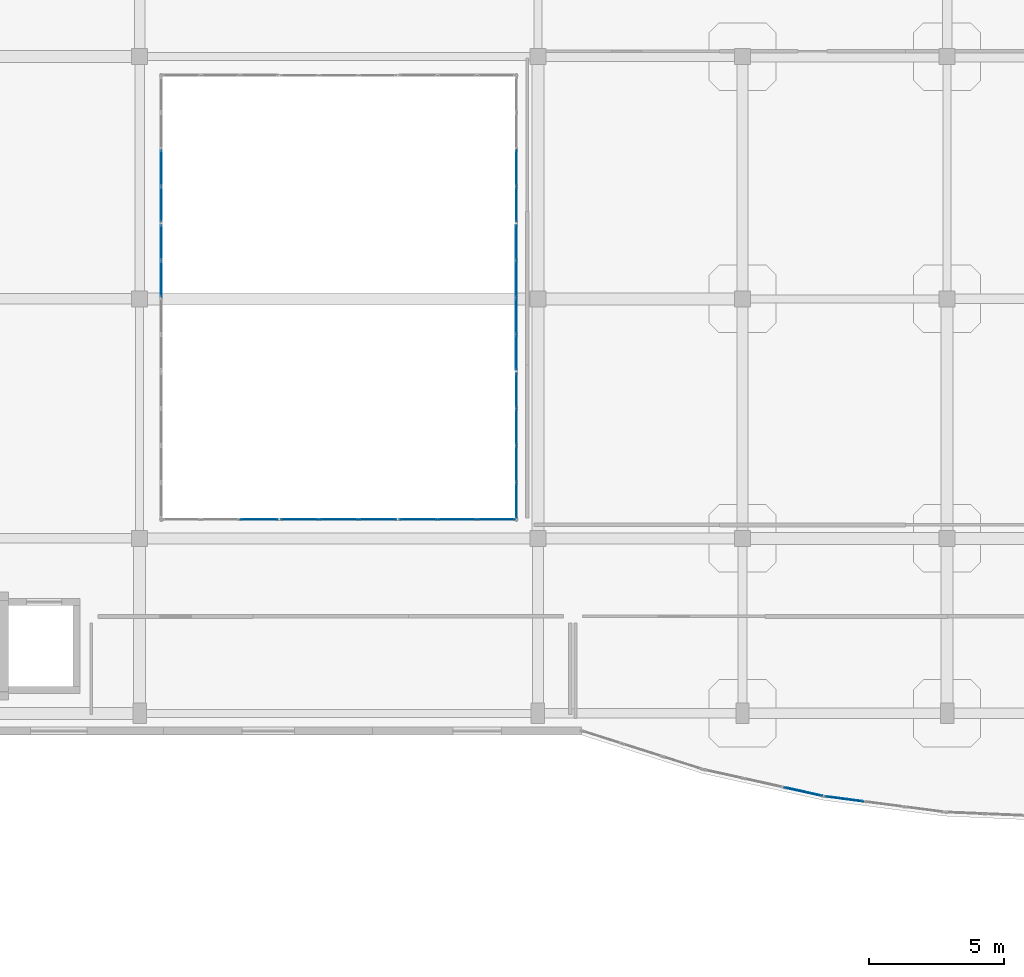
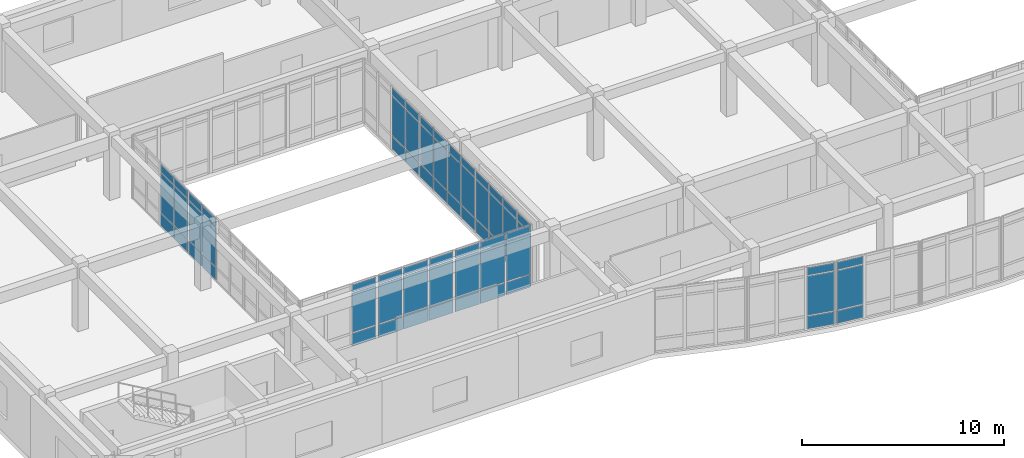
# One storey, part 117 of 146: 69 plates, 10 elements without a shape of their own.
"""IFC4 building model written with IfcOpenShell, lengths in metres."""

import ifcopenshell
import ifcopenshell.guid

model = None  # the IFC model being written
_history = None  # IfcOwnerHistory: only IFC2X3 demands one
_inside = {}  # id of a spatial element -> (the spatial element, [elements in it])
_under = {}  # id of a project, library or spatial element -> (it, [spatial elements below it])
_declared = {}  # id of a project -> (the project, [libraries it declares])
_typed = {}  # id of a type object -> (the type object, [elements of that type])
_made_of = {}  # id of a material, layer set ... -> (it, [elements and type objects made of it])


def new_model(schema):
    """Start an empty IFC model of exactly this schema.

    Asked for "IFC4X3", IfcOpenShell would pick the latest addendum, in which some entities
    have other attributes; the version numbers below select the first issue.
    IFC2X3 requires an IfcOwnerHistory on every rooted entity: one is made here for all.
    """
    global model, _history
    if schema == "IFC4X3":
        model = ifcopenshell.file(schema_version=(4, 3, 0, 0))
    else:
        model = ifcopenshell.file(schema=schema)
    _inside.clear()
    _under.clear()
    _declared.clear()
    _typed.clear()
    _made_of.clear()
    _history = None
    if model.schema == "IFC2X3":
        org = make("IfcOrganization", Name="unknown")
        user = make(
            "IfcPersonAndOrganization",
            ThePerson=make("IfcPerson", FamilyName="unknown"),
            TheOrganization=org,
        )
        app = make(
            "IfcApplication",
            ApplicationDeveloper=org,
            Version="unknown",
            ApplicationFullName="unknown",
            ApplicationIdentifier="unknown",
        )
        _history = make(
            "IfcOwnerHistory",
            OwningUser=user,
            OwningApplication=app,
            ChangeAction="ADDED",
            CreationDate=0,
        )
    return model


def make(cls, **values):
    """One entity of the class cls with the attributes given. An attribute that is None is left unset."""
    return model.create_entity(
        cls, **{name: value for name, value in values.items() if value is not None}
    )


def rooted(cls, **values):
    """An entity with a GlobalId (a new one), such as an element, a storey or a relation."""
    return make(cls, GlobalId=ifcopenshell.guid.new(), OwnerHistory=_history, **values)


def si_unit(unit_type, name, prefix=None):
    """IfcSIUnit, for example si_unit("LENGTHUNIT", "METRE", prefix="MILLI")."""
    return make("IfcSIUnit", UnitType=unit_type, Prefix=prefix, Name=name)


def assignment(units):
    """IfcUnitAssignment: the units of a project."""
    return None if units is None else make("IfcUnitAssignment", Units=units)


def point(xyz):
    """IfcCartesianPoint."""
    return None if xyz is None else make("IfcCartesianPoint", Coordinates=xyz)


def direction(xyz):
    """IfcDirection."""
    return None if xyz is None else make("IfcDirection", DirectionRatios=xyz)


def frame(location, z_axis=None, x_axis=None):
    """IfcAxis2Placement3D, a coordinate frame: its origin and axes. An axis left out is left unset."""
    return make(
        "IfcAxis2Placement3D",
        Location=point(location),
        Axis=direction(z_axis),
        RefDirection=direction(x_axis),
    )


def frame_2d(location, x_axis=None):
    """IfcAxis2Placement2D, a coordinate frame in the plane: its origin and x axis."""
    return make(
        "IfcAxis2Placement2D", Location=point(location), RefDirection=direction(x_axis)
    )


def origin():
    """The frame at (0, 0, 0) with its axes left unset."""
    return frame((0.0, 0.0, 0.0))


def origin_2d():
    """The frame at (0, 0) in the plane with its x axis left unset."""
    return frame_2d((0.0, 0.0))


def place(relative_to, where):
    """IfcLocalPlacement: puts the frame where relative to a parent placement (None: the world)."""
    return make(
        "IfcLocalPlacement", PlacementRelTo=relative_to, RelativePlacement=where
    )


def context(
    kind, dimensions, precision=None, world=None, true_north=None, identifier=None
):
    """IfcGeometricRepresentationContext, for example the 3D "Model" context."""
    return make(
        "IfcGeometricRepresentationContext",
        ContextIdentifier=identifier,
        ContextType=kind,
        CoordinateSpaceDimension=dimensions,
        Precision=precision,
        WorldCoordinateSystem=world,
        TrueNorth=true_north,
    )


def subcontext(parent, identifier, kind, view, scale=None):
    """IfcGeometricRepresentationSubContext, for example "Body" below "Model"."""
    return make(
        "IfcGeometricRepresentationSubContext",
        ContextIdentifier=identifier,
        ContextType=kind,
        ParentContext=parent,
        TargetScale=scale,
        TargetView=view,
    )


def project(units=None, contexts=None):
    """IfcProject with its units and contexts."""
    return rooted(
        "IfcProject",
        Name="project",
        RepresentationContexts=contexts,
        UnitsInContext=assignment(units),
    )


def spatial(cls, under=None, at=None, **own):
    """A site, building, storey or space (cls), placed at a placement, below another one or the project."""
    s = rooted(cls, ObjectPlacement=at, **own)
    if under is not None:
        _under.setdefault(under.id(), (under, []))[1].append(s)
    return s


def profile(cls, at=None, kind="AREA", **sizes):
    """A parametric profile (cls). Its sizes go by their IFC names, for example OverallWidth=200.0."""
    return make(cls, ProfileType=kind, Position=at, **sizes)


def rectangle(**sizes):
    """IfcRectangleProfileDef."""
    return profile("IfcRectangleProfileDef", **sizes)


def extrude(swept, where, along, depth):
    """IfcExtrudedAreaSolid: the profile swept, set in the frame where, extruded along a direction by depth."""
    return make(
        "IfcExtrudedAreaSolid",
        SweptArea=swept,
        Position=where,
        ExtrudedDirection=direction(along),
        Depth=depth,
    )


def shape(context_of_items, identifier, shape_type, items):
    """IfcShapeRepresentation: the items that make up one representation, for example the "Body"."""
    return make(
        "IfcShapeRepresentation",
        ContextOfItems=context_of_items,
        RepresentationIdentifier=identifier,
        RepresentationType=shape_type,
        Items=items,
    )


def material(Name=None, Category=None):
    """IfcMaterial."""
    return make("IfcMaterial", Name=Name, Category=Category)


def layer(
    of_material, thickness, ventilated=None, Name=None, Category=None, Priority=None
):
    """IfcMaterialLayer: one layer of a wall or slab, of a material (None: an air gap)."""
    return make(
        "IfcMaterialLayer",
        Material=of_material,
        LayerThickness=thickness,
        IsVentilated=ventilated,
        Name=Name,
        Category=Category,
        Priority=Priority,
    )


def layer_set(layers, Name=None):
    """IfcMaterialLayerSet."""
    return make("IfcMaterialLayerSet", MaterialLayers=layers, LayerSetName=Name)


def made_of(thing, what):
    """Note that an element or type object is made of a material, layer set ...; save() writes the relation."""
    if what is not None:
        _made_of.setdefault(what.id(), (what, []))[1].append(thing)
    return thing


def type_object(cls, material=None, **own):
    """A type object (cls), such as IfcWallType, which elements share."""
    return made_of(rooted(cls, **own), material)


def element(
    cls,
    number,
    at=None,
    inside=None,
    cuts=None,
    type_object=None,
    material=None,
    context=None,
    identifier="Body",
    shape_type=None,
    held_by="IfcProductDefinitionShape",
    body=None,
    shapes=None,
    **own,
):
    """One element of the class cls, such as IfcWall. Its Tag is "e" and its number.

    at: its placement. inside: the storey or other place that contains it. cuts: it is an
    opening in that element (IfcRelVoidsElement). A single representation is given by context,
    identifier, shape_type and body (its items); several are given by shapes. held_by: the class
    of the entity that holds the representations. save() writes the other relations.
    """
    e = rooted(cls, Tag="e%d" % number, ObjectPlacement=at, **own)
    if body is not None:
        shapes = [shape(context, identifier, shape_type, body)]
    if shapes is not None:
        e.Representation = make(held_by, Representations=shapes)
    if inside is not None:
        _inside.setdefault(inside.id(), (inside, []))[1].append(e)
    if cuts is not None:
        rooted(
            "IfcRelVoidsElement", RelatingBuildingElement=cuts, RelatedOpeningElement=e
        )
    if type_object is not None:
        _typed.setdefault(type_object.id(), (type_object, []))[1].append(e)
    return made_of(e, material)


def aggregate(whole, parts):
    """IfcRelAggregates: a whole, such as a stair, and the parts it consists of."""
    return rooted("IfcRelAggregates", RelatingObject=whole, RelatedObjects=parts)


def save(model, path):
    """Write the relations noted so far, then the file.

    IfcRelAggregates (storeys below a building ...), IfcRelContainedInSpatialStructure (elements
    in a storey), IfcRelDefinesByType, IfcRelAssociatesMaterial and IfcRelDeclares: one each for
    every whole, place, type object, material and project.
    """
    for whole, parts in _under.values():
        aggregate(whole, parts)
    for where, things in _inside.values():
        rooted(
            "IfcRelContainedInSpatialStructure",
            RelatedElements=things,
            RelatingStructure=where,
        )
    for kind, things in _typed.values():
        rooted("IfcRelDefinesByType", RelatedObjects=things, RelatingType=kind)
    for what, things in _made_of.values():
        rooted("IfcRelAssociatesMaterial", RelatedObjects=things, RelatingMaterial=what)
    for by, libraries in _declared.values():
        rooted("IfcRelDeclares", RelatingContext=by, RelatedDefinitions=libraries)
    model.write(path)


model = new_model("IFC4")

# Units and contexts
model_context = context("Model", 3, precision=1e-05, world=origin(), true_north=direction((0.0, 1.0)))
body_context = subcontext(model_context, "Body", "Model", "MODEL_VIEW")
ifc_project = project(units=[si_unit("LENGTHUNIT", "METRE"), si_unit("AREAUNIT", "SQUARE_METRE"), si_unit("VOLUMEUNIT", "CUBIC_METRE"), si_unit("PLANEANGLEUNIT", "RADIAN"), si_unit("MASSUNIT", "GRAM", prefix="KILO")], contexts=[model_context])

# Site, building, storey
site_placement = place(None, origin())
site = spatial("IfcSite", under=ifc_project, at=site_placement, CompositionType="ELEMENT")
building_placement = place(site_placement, origin())
building = spatial("IfcBuilding", under=site, at=building_placement, Name="Valcora Specialist Clinic", CompositionType="ELEMENT")
storey_placement = place(building_placement, frame((0.0, 0.0, 9.52001953125)))
storey = spatial("IfcBuildingStorey", under=building, at=storey_placement, Name="L02", CompositionType="ELEMENT", Elevation=9.52001953125)

# Curtain wall, plates
ifc_material_1 = material(Name="Anodized Bronze Aluminium 6063-T6", Category="aluminium")
ifc_layer_1 = layer(ifc_material_1, 0.175048828125)
ifc_layer_set_1 = layer_set([ifc_layer_1], Name="Anodized Bronze Aluminium 6063-T6")
curtain_wall_type_1 = type_object("IfcCurtainWallType", Name="TY-CW-ARC40", PredefinedType="NOTDEFINED", material=ifc_layer_set_1)
curtain_wall_1_placement = place(storey_placement, origin())
curtain_wall_1 = element("IfcCurtainWall", 1, at=curtain_wall_1_placement, inside=storey, type_object=curtain_wall_type_1, Name="Curtain wall CW-L02-090", PredefinedType="NOTDEFINED")
ifc_material_2 = material(Name="Low-E Laminated Insulating Glass", Category="glass")
ifc_layer_2 = layer(ifc_material_2, 0.028076171875)
ifc_layer_set_2 = layer_set([ifc_layer_2], Name="Low-E Laminated Insulating Glass")
plate_type_1 = type_object("IfcPlateType", Name="TY-CWP-GLZ28", PredefinedType="CURTAIN_PANEL", material=ifc_layer_set_2)
plate_1_placement = place(storey_placement, frame((102.18994140625, 71.61767578125, 0.882568359375), z_axis=(0.0, 0.0, 1.0), x_axis=(-0.991514060421, 0.129999492259, 0.0)))
plate_1 = element("IfcPlate", 2, at=plate_1_placement, type_object=plate_type_1, Name="CW-ARC-40 panel 3.2", PredefinedType="CURTAIN_PANEL", context=body_context, shape_type="SweptSolid", body=[
    extrude(rectangle(XDim=1.410888671875, YDim=0.028076171875, at=origin_2d()), origin(), (0.0, 0.0, 1.0), 2.35498046875),
])
plate_2_placement = place(storey_placement, frame((102.18994140625, 71.61767578125, 3.302734375), z_axis=(0.0, 0.0, 1.0), x_axis=(-0.991514060421, 0.129999492259, 0.0)))
plate_2 = element("IfcPlate", 3, at=plate_2_placement, type_object=plate_type_1, Name="CW-ARC-40 panel 3.3", PredefinedType="CURTAIN_PANEL", context=body_context, shape_type="SweptSolid", body=[
    extrude(rectangle(XDim=1.410888671875, YDim=0.028076171875, at=origin_2d()), origin(), (0.0, 0.0, 1.0), 0.452392578125),
])

ifc_layer_3 = layer(ifc_material_1, 0.175048828125)
ifc_layer_set_3 = layer_set([ifc_layer_3], Name="Anodized Bronze Aluminium 6063-T6")
curtain_wall_type_2 = type_object("IfcCurtainWallType", Name="TY-CW-CRT15", PredefinedType="NOTDEFINED", material=ifc_layer_set_3)
curtain_wall_2_placement = place(storey_placement, origin())
curtain_wall_2 = element("IfcCurtainWall", 4, at=curtain_wall_2_placement, inside=storey, type_object=curtain_wall_type_2, Name="Curtain wall CW-L02-094", PredefinedType="NOTDEFINED")
plate_3_placement = place(storey_placement, frame((81.949462890625, 82.0, 0.882568359375), z_axis=(0.0, 0.0, 1.0), x_axis=(1.0, 0.0, 0.0)))
plate_3 = element("IfcPlate", 5, at=plate_3_placement, type_object=plate_type_1, Name="CW-CRT-15 panel 1.2", PredefinedType="CURTAIN_PANEL", context=body_context, shape_type="SweptSolid", body=[
    extrude(rectangle(XDim=1.369140625, YDim=0.028076171875, at=origin_2d()), origin(), (0.0, 0.0, 1.0), 2.35498046875),
])
plate_4_placement = place(storey_placement, frame((81.949462890625, 82.0, 3.302734375), z_axis=(0.0, 0.0, 1.0), x_axis=(1.0, 0.0, 0.0)))
plate_4 = element("IfcPlate", 6, at=plate_4_placement, type_object=plate_type_1, Name="CW-CRT-15 panel 1.3", PredefinedType="CURTAIN_PANEL", context=body_context, shape_type="SweptSolid", body=[
    extrude(rectangle(XDim=1.369140625, YDim=0.028076171875, at=origin_2d()), origin(), (0.0, 0.0, 1.0), 0.452392578125),
])
plate_5_placement = place(storey_placement, frame((83.39990234375, 82.0, 0.882568359375), z_axis=(0.0, 0.0, 1.0), x_axis=(1.0, 0.0, 0.0)))
plate_5 = element("IfcPlate", 7, at=plate_5_placement, type_object=plate_type_1, Name="CW-CRT-15 panel 2.2", PredefinedType="CURTAIN_PANEL", context=body_context, shape_type="SweptSolid", body=[
    extrude(rectangle(XDim=1.401611328125, YDim=0.028076171875, at=origin_2d()), origin(), (0.0, 0.0, 1.0), 2.35498046875),
])
plate_6_placement = place(storey_placement, frame((83.39990234375, 82.0, 3.302734375), z_axis=(0.0, 0.0, 1.0), x_axis=(1.0, 0.0, 0.0)))
plate_6 = element("IfcPlate", 8, at=plate_6_placement, type_object=plate_type_1, Name="CW-CRT-15 panel 2.3", PredefinedType="CURTAIN_PANEL", context=body_context, shape_type="SweptSolid", body=[
    extrude(rectangle(XDim=1.401611328125, YDim=0.028076171875, at=origin_2d()), origin(), (0.0, 0.0, 1.0), 0.452392578125),
])
plate_7_placement = place(storey_placement, frame((84.850341796875, 82.0, 0.882568359375), z_axis=(0.0, 0.0, 1.0), x_axis=(1.0, 0.0, 0.0)))
plate_7 = element("IfcPlate", 9, at=plate_7_placement, type_object=plate_type_1, Name="CW-CRT-15 panel 3.2", PredefinedType="CURTAIN_PANEL", context=body_context, shape_type="SweptSolid", body=[
    extrude(rectangle(XDim=1.369140625, YDim=0.028076171875, at=origin_2d()), origin(), (0.0, 0.0, 1.0), 2.35498046875),
])
plate_8_placement = place(storey_placement, frame((84.850341796875, 82.0, 3.302734375), z_axis=(0.0, 0.0, 1.0), x_axis=(1.0, 0.0, 0.0)))
plate_8 = element("IfcPlate", 10, at=plate_8_placement, type_object=plate_type_1, Name="CW-CRT-15 panel 3.3", PredefinedType="CURTAIN_PANEL", context=body_context, shape_type="SweptSolid", body=[
    extrude(rectangle(XDim=1.369140625, YDim=0.028076171875, at=origin_2d()), origin(), (0.0, 0.0, 1.0), 0.452392578125),
])

curtain_wall_3_placement = place(storey_placement, origin())
curtain_wall_3 = element("IfcCurtainWall", 11, at=curtain_wall_3_placement, inside=storey, type_object=curtain_wall_type_2, Name="Curtain wall CW-L02-096", PredefinedType="NOTDEFINED")
plate_9_placement = place(storey_placement, frame((90.0, 82.703857421875, 0.882568359375), z_axis=(0.0, 0.0, 1.0), x_axis=(0.0, 1.0, 0.0)))
plate_9 = element("IfcPlate", 12, at=plate_9_placement, type_object=plate_type_1, Name="CW-CRT-15 panel 1.2", PredefinedType="CURTAIN_PANEL", context=body_context, shape_type="SweptSolid", body=[
    extrude(rectangle(XDim=1.277587890625, YDim=0.028076171875, at=origin_2d()), origin(), (0.0, 0.0, 1.0), 2.35498046875),
])
plate_10_placement = place(storey_placement, frame((90.0, 82.703857421875, 3.302734375), z_axis=(0.0, 0.0, 1.0), x_axis=(0.0, 1.0, 0.0)))
plate_10 = element("IfcPlate", 13, at=plate_10_placement, type_object=plate_type_1, Name="CW-CRT-15 panel 1.3", PredefinedType="CURTAIN_PANEL", context=body_context, shape_type="SweptSolid", body=[
    extrude(rectangle(XDim=1.277587890625, YDim=0.028076171875, at=origin_2d()), origin(), (0.0, 0.0, 1.0), 0.452392578125),
])
plate_11_placement = place(storey_placement, frame((90.0, 84.0625, 0.882568359375), z_axis=(0.0, 0.0, 1.0), x_axis=(0.0, 1.0, 0.0)))
plate_11 = element("IfcPlate", 14, at=plate_11_placement, type_object=plate_type_1, Name="CW-CRT-15 panel 2.2", PredefinedType="CURTAIN_PANEL", context=body_context, shape_type="SweptSolid", body=[
    extrude(rectangle(XDim=1.31005859375, YDim=0.028076171875, at=origin_2d()), origin(), (0.0, 0.0, 1.0), 2.35498046875),
])
plate_12_placement = place(storey_placement, frame((90.0, 84.0625, 3.302734375), z_axis=(0.0, 0.0, 1.0), x_axis=(0.0, 1.0, 0.0)))
plate_12 = element("IfcPlate", 15, at=plate_12_placement, type_object=plate_type_1, Name="CW-CRT-15 panel 2.3", PredefinedType="CURTAIN_PANEL", context=body_context, shape_type="SweptSolid", body=[
    extrude(rectangle(XDim=1.31005859375, YDim=0.028076171875, at=origin_2d()), origin(), (0.0, 0.0, 1.0), 0.452392578125),
])
plate_13_placement = place(storey_placement, frame((90.0, 85.4375, 0.882568359375), z_axis=(0.0, 0.0, 1.0), x_axis=(0.0, 1.0, 0.0)))
plate_13 = element("IfcPlate", 16, at=plate_13_placement, type_object=plate_type_1, Name="CW-CRT-15 panel 3.2", PredefinedType="CURTAIN_PANEL", context=body_context, shape_type="SweptSolid", body=[
    extrude(rectangle(XDim=1.31005859375, YDim=0.028076171875, at=origin_2d()), origin(), (0.0, 0.0, 1.0), 2.35498046875),
])
plate_14_placement = place(storey_placement, frame((90.0, 85.4375, 3.302734375), z_axis=(0.0, 0.0, 1.0), x_axis=(0.0, 1.0, 0.0)))
plate_14 = element("IfcPlate", 17, at=plate_14_placement, type_object=plate_type_1, Name="CW-CRT-15 panel 3.3", PredefinedType="CURTAIN_PANEL", context=body_context, shape_type="SweptSolid", body=[
    extrude(rectangle(XDim=1.31005859375, YDim=0.028076171875, at=origin_2d()), origin(), (0.0, 0.0, 1.0), 0.452392578125),
])
plate_15_placement = place(storey_placement, frame((90.0, 86.796142578125, 0.882568359375), z_axis=(0.0, 0.0, 1.0), x_axis=(0.0, 1.0, 0.0)))
plate_15 = element("IfcPlate", 18, at=plate_15_placement, type_object=plate_type_1, Name="CW-CRT-15 panel 4.2", PredefinedType="CURTAIN_PANEL", context=body_context, shape_type="SweptSolid", body=[
    extrude(rectangle(XDim=1.277587890625, YDim=0.028076171875, at=origin_2d()), origin(), (0.0, 0.0, 1.0), 2.35498046875),
])
plate_16_placement = place(storey_placement, frame((90.0, 86.796142578125, 3.302734375), z_axis=(0.0, 0.0, 1.0), x_axis=(0.0, 1.0, 0.0)))
plate_16 = element("IfcPlate", 19, at=plate_16_placement, type_object=plate_type_1, Name="CW-CRT-15 panel 4.3", PredefinedType="CURTAIN_PANEL", context=body_context, shape_type="SweptSolid", body=[
    extrude(rectangle(XDim=1.277587890625, YDim=0.028076171875, at=origin_2d()), origin(), (0.0, 0.0, 1.0), 0.452392578125),
])

curtain_wall_4_placement = place(storey_placement, origin())
curtain_wall_4 = element("IfcCurtainWall", 20, at=curtain_wall_4_placement, inside=storey, type_object=curtain_wall_type_2, Name="Curtain wall CW-L02-098", PredefinedType="NOTDEFINED")
plate_17_placement = place(storey_placement, frame((90.0, 93.703857421875, 0.882568359375), z_axis=(0.0, 0.0, 1.0), x_axis=(0.0, 1.0, 0.0)))
plate_17 = element("IfcPlate", 21, at=plate_17_placement, type_object=plate_type_1, Name="CW-CRT-15 panel 1.2", PredefinedType="CURTAIN_PANEL", context=body_context, shape_type="SweptSolid", body=[
    extrude(rectangle(XDim=1.277587890625, YDim=0.028076171875, at=origin_2d()), origin(), (0.0, 0.0, 1.0), 2.35498046875),
])
plate_18_placement = place(storey_placement, frame((90.0, 93.703857421875, 3.302734375), z_axis=(0.0, 0.0, 1.0), x_axis=(0.0, 1.0, 0.0)))
plate_18 = element("IfcPlate", 22, at=plate_18_placement, type_object=plate_type_1, Name="CW-CRT-15 panel 1.3", PredefinedType="CURTAIN_PANEL", context=body_context, shape_type="SweptSolid", body=[
    extrude(rectangle(XDim=1.277587890625, YDim=0.028076171875, at=origin_2d()), origin(), (0.0, 0.0, 1.0), 0.452392578125),
])
plate_19_placement = place(storey_placement, frame((90.0, 95.0625, 0.882568359375), z_axis=(0.0, 0.0, 1.0), x_axis=(0.0, 1.0, 0.0)))
plate_19 = element("IfcPlate", 23, at=plate_19_placement, type_object=plate_type_1, Name="CW-CRT-15 panel 2.2", PredefinedType="CURTAIN_PANEL", context=body_context, shape_type="SweptSolid", body=[
    extrude(rectangle(XDim=1.31005859375, YDim=0.028076171875, at=origin_2d()), origin(), (0.0, 0.0, 1.0), 2.35498046875),
])
plate_20_placement = place(storey_placement, frame((90.0, 95.0625, 3.302734375), z_axis=(0.0, 0.0, 1.0), x_axis=(0.0, 1.0, 0.0)))
plate_20 = element("IfcPlate", 24, at=plate_20_placement, type_object=plate_type_1, Name="CW-CRT-15 panel 2.3", PredefinedType="CURTAIN_PANEL", context=body_context, shape_type="SweptSolid", body=[
    extrude(rectangle(XDim=1.31005859375, YDim=0.028076171875, at=origin_2d()), origin(), (0.0, 0.0, 1.0), 0.452392578125),
])

curtain_wall_5_placement = place(storey_placement, origin())
curtain_wall_5 = element("IfcCurtainWall", 25, at=curtain_wall_5_placement, inside=storey, type_object=curtain_wall_type_2, Name="Curtain wall CW-L02-102", PredefinedType="NOTDEFINED")
plate_21_placement = place(storey_placement, frame((76.800048828125, 95.0625, 0.882568359375), z_axis=(0.0, 0.0, 1.0), x_axis=(0.0, -1.0, 0.0)))
plate_21 = element("IfcPlate", 26, at=plate_21_placement, type_object=plate_type_1, Name="CW-CRT-15 panel 3.2", PredefinedType="CURTAIN_PANEL", context=body_context, shape_type="SweptSolid", body=[
    extrude(rectangle(XDim=1.31005859375, YDim=0.028076171875, at=origin_2d()), origin(), (0.0, 0.0, 1.0), 2.35498046875),
])
plate_22_placement = place(storey_placement, frame((76.800048828125, 95.0625, 3.302734375), z_axis=(0.0, 0.0, 1.0), x_axis=(0.0, -1.0, 0.0)))
plate_22 = element("IfcPlate", 27, at=plate_22_placement, type_object=plate_type_1, Name="CW-CRT-15 panel 3.3", PredefinedType="CURTAIN_PANEL", context=body_context, shape_type="SweptSolid", body=[
    extrude(rectangle(XDim=1.31005859375, YDim=0.028076171875, at=origin_2d()), origin(), (0.0, 0.0, 1.0), 0.452392578125),
])
plate_23_placement = place(storey_placement, frame((76.800048828125, 93.703857421875, 0.882568359375), z_axis=(0.0, 0.0, 1.0), x_axis=(0.0, -1.0, 0.0)))
plate_23 = element("IfcPlate", 28, at=plate_23_placement, type_object=plate_type_1, Name="CW-CRT-15 panel 4.2", PredefinedType="CURTAIN_PANEL", context=body_context, shape_type="SweptSolid", body=[
    extrude(rectangle(XDim=1.277587890625, YDim=0.028076171875, at=origin_2d()), origin(), (0.0, 0.0, 1.0), 2.35498046875),
])
plate_24_placement = place(storey_placement, frame((76.800048828125, 93.703857421875, 3.302734375), z_axis=(0.0, 0.0, 1.0), x_axis=(0.0, -1.0, 0.0)))
plate_24 = element("IfcPlate", 29, at=plate_24_placement, type_object=plate_type_1, Name="CW-CRT-15 panel 4.3", PredefinedType="CURTAIN_PANEL", context=body_context, shape_type="SweptSolid", body=[
    extrude(rectangle(XDim=1.277587890625, YDim=0.028076171875, at=origin_2d()), origin(), (0.0, 0.0, 1.0), 0.452392578125),
])

curtain_wall_6_placement = place(storey_placement, origin())
curtain_wall_6 = element("IfcCurtainWall", 30, at=curtain_wall_6_placement, inside=storey, type_object=curtain_wall_type_1, Name="Curtain wall CW-L02-091", PredefinedType="NOTDEFINED")
ifc_layer_4 = layer(ifc_material_2, 0.033935546875)
ifc_layer_set_4 = layer_set([ifc_layer_4], Name="Low-E Laminated Insulating Glass")
plate_type_2 = type_object("IfcPlateType", Name="TY-CWP-GLZ34", PredefinedType="CURTAIN_PANEL", material=ifc_layer_set_4)
plate_25_placement = place(storey_placement, frame((100.662353515625, 71.88720703125, 0.882568359375), z_axis=(0.0, 0.0, 1.0), x_axis=(-0.976278614432, 0.216518052372, 0.0)))
plate_25 = element("IfcPlate", 31, at=plate_25_placement, type_object=plate_type_2, Name="CW-ARC-40 panel 1.2", PredefinedType="CURTAIN_PANEL", context=body_context, shape_type="SweptSolid", body=[
    extrude(rectangle(XDim=1.4345703125, YDim=0.033935546875, at=origin_2d()), origin(), (0.0, 0.0, 1.0), 2.35498046875),
])
plate_26_placement = place(storey_placement, frame((100.662353515625, 71.88720703125, 3.302734375), z_axis=(0.0, 0.0, 1.0), x_axis=(-0.976278614432, 0.216518052372, 0.0)))
plate_26 = element("IfcPlate", 32, at=plate_26_placement, type_object=plate_type_2, Name="CW-ARC-40 panel 1.3", PredefinedType="CURTAIN_PANEL", context=body_context, shape_type="SweptSolid", body=[
    extrude(rectangle(XDim=1.4345703125, YDim=0.033935546875, at=origin_2d()), origin(), (0.0, 0.0, 1.0), 0.452392578125),
])

curtain_wall_7_placement = place(storey_placement, origin())
curtain_wall_7 = element("IfcCurtainWall", 33, at=curtain_wall_7_placement, inside=storey, type_object=curtain_wall_type_2, Name="Curtain wall CW-L02-093", PredefinedType="NOTDEFINED")
plate_27_placement = place(storey_placement, frame((80.450439453125, 82.0, 0.882568359375), z_axis=(0.0, 0.0, 1.0), x_axis=(1.0, 0.0, 0.0)))
plate_27 = element("IfcPlate", 34, at=plate_27_placement, type_object=plate_type_2, Name="CW-CRT-15 panel 3.2", PredefinedType="CURTAIN_PANEL", context=body_context, shape_type="SweptSolid", body=[
    extrude(rectangle(XDim=1.369140625, YDim=0.033935546875, at=origin_2d()), origin(), (0.0, 0.0, 1.0), 2.35498046875),
])
plate_28_placement = place(storey_placement, frame((80.450439453125, 82.0, 3.302734375), z_axis=(0.0, 0.0, 1.0), x_axis=(1.0, 0.0, 0.0)))
plate_28 = element("IfcPlate", 35, at=plate_28_placement, type_object=plate_type_2, Name="CW-CRT-15 panel 3.3", PredefinedType="CURTAIN_PANEL", context=body_context, shape_type="SweptSolid", body=[
    extrude(rectangle(XDim=1.369140625, YDim=0.033935546875, at=origin_2d()), origin(), (0.0, 0.0, 1.0), 0.452392578125),
])

curtain_wall_8_placement = place(storey_placement, origin())
curtain_wall_8 = element("IfcCurtainWall", 36, at=curtain_wall_8_placement, inside=storey, type_object=curtain_wall_type_2, Name="Curtain wall CW-L02-095", PredefinedType="NOTDEFINED")
plate_29_placement = place(storey_placement, frame((86.349609375, 82.0, 0.882568359375), z_axis=(0.0, 0.0, 1.0), x_axis=(1.0, 0.0, 0.0)))
plate_29 = element("IfcPlate", 37, at=plate_29_placement, type_object=plate_type_2, Name="CW-CRT-15 panel 1.2", PredefinedType="CURTAIN_PANEL", context=body_context, shape_type="SweptSolid", body=[
    extrude(rectangle(XDim=1.369140625, YDim=0.033935546875, at=origin_2d()), origin(), (0.0, 0.0, 1.0), 2.35498046875),
])
plate_30_placement = place(storey_placement, frame((86.349609375, 82.0, 3.302734375), z_axis=(0.0, 0.0, 1.0), x_axis=(1.0, 0.0, 0.0)))
plate_30 = element("IfcPlate", 38, at=plate_30_placement, type_object=plate_type_2, Name="CW-CRT-15 panel 1.3", PredefinedType="CURTAIN_PANEL", context=body_context, shape_type="SweptSolid", body=[
    extrude(rectangle(XDim=1.369140625, YDim=0.033935546875, at=origin_2d()), origin(), (0.0, 0.0, 1.0), 0.452392578125),
])
plate_31_placement = place(storey_placement, frame((87.800048828125, 82.0, 0.882568359375), z_axis=(0.0, 0.0, 1.0), x_axis=(1.0, 0.0, 0.0)))
plate_31 = element("IfcPlate", 39, at=plate_31_placement, type_object=plate_type_2, Name="CW-CRT-15 panel 2.2", PredefinedType="CURTAIN_PANEL", context=body_context, shape_type="SweptSolid", body=[
    extrude(rectangle(XDim=1.401611328125, YDim=0.033935546875, at=origin_2d()), origin(), (0.0, 0.0, 1.0), 2.35498046875),
])
plate_32_placement = place(storey_placement, frame((87.800048828125, 82.0, 3.302734375), z_axis=(0.0, 0.0, 1.0), x_axis=(1.0, 0.0, 0.0)))
plate_32 = element("IfcPlate", 40, at=plate_32_placement, type_object=plate_type_2, Name="CW-CRT-15 panel 2.3", PredefinedType="CURTAIN_PANEL", context=body_context, shape_type="SweptSolid", body=[
    extrude(rectangle(XDim=1.401611328125, YDim=0.033935546875, at=origin_2d()), origin(), (0.0, 0.0, 1.0), 0.452392578125),
])
plate_33_placement = place(storey_placement, frame((89.25048828125, 82.0, 0.882568359375), z_axis=(0.0, 0.0, 1.0), x_axis=(1.0, 0.0, 0.0)))
plate_33 = element("IfcPlate", 41, at=plate_33_placement, type_object=plate_type_2, Name="CW-CRT-15 panel 3.2", PredefinedType="CURTAIN_PANEL", context=body_context, shape_type="SweptSolid", body=[
    extrude(rectangle(XDim=1.369140625, YDim=0.033935546875, at=origin_2d()), origin(), (0.0, 0.0, 1.0), 2.35498046875),
])
plate_34_placement = place(storey_placement, frame((89.25048828125, 82.0, 3.302734375), z_axis=(0.0, 0.0, 1.0), x_axis=(1.0, 0.0, 0.0)))
plate_34 = element("IfcPlate", 42, at=plate_34_placement, type_object=plate_type_2, Name="CW-CRT-15 panel 3.3", PredefinedType="CURTAIN_PANEL", context=body_context, shape_type="SweptSolid", body=[
    extrude(rectangle(XDim=1.369140625, YDim=0.033935546875, at=origin_2d()), origin(), (0.0, 0.0, 1.0), 0.452392578125),
])

curtain_wall_9_placement = place(storey_placement, origin())
curtain_wall_9 = element("IfcCurtainWall", 43, at=curtain_wall_9_placement, inside=storey, type_object=curtain_wall_type_2, Name="Curtain wall CW-L02-097", PredefinedType="NOTDEFINED")
plate_35_placement = place(storey_placement, frame((90.0, 88.203857421875, 0.882568359375), z_axis=(0.0, 0.0, 1.0), x_axis=(0.0, 1.0, 0.0)))
plate_35 = element("IfcPlate", 44, at=plate_35_placement, type_object=plate_type_2, Name="CW-CRT-15 panel 1.2", PredefinedType="CURTAIN_PANEL", context=body_context, shape_type="SweptSolid", body=[
    extrude(rectangle(XDim=1.277587890625, YDim=0.033935546875, at=origin_2d()), origin(), (0.0, 0.0, 1.0), 2.35498046875),
])
plate_36_placement = place(storey_placement, frame((90.0, 88.203857421875, 3.302734375), z_axis=(0.0, 0.0, 1.0), x_axis=(0.0, 1.0, 0.0)))
plate_36 = element("IfcPlate", 45, at=plate_36_placement, type_object=plate_type_2, Name="CW-CRT-15 panel 1.3", PredefinedType="CURTAIN_PANEL", context=body_context, shape_type="SweptSolid", body=[
    extrude(rectangle(XDim=1.277587890625, YDim=0.033935546875, at=origin_2d()), origin(), (0.0, 0.0, 1.0), 0.452392578125),
])
plate_37_placement = place(storey_placement, frame((90.0, 89.5625, 0.882568359375), z_axis=(0.0, 0.0, 1.0), x_axis=(0.0, 1.0, 0.0)))
plate_37 = element("IfcPlate", 46, at=plate_37_placement, type_object=plate_type_2, Name="CW-CRT-15 panel 2.2", PredefinedType="CURTAIN_PANEL", context=body_context, shape_type="SweptSolid", body=[
    extrude(rectangle(XDim=1.31005859375, YDim=0.033935546875, at=origin_2d()), origin(), (0.0, 0.0, 1.0), 2.35498046875),
])
plate_38_placement = place(storey_placement, frame((90.0, 89.5625, 3.302734375), z_axis=(0.0, 0.0, 1.0), x_axis=(0.0, 1.0, 0.0)))
plate_38 = element("IfcPlate", 47, at=plate_38_placement, type_object=plate_type_2, Name="CW-CRT-15 panel 2.3", PredefinedType="CURTAIN_PANEL", context=body_context, shape_type="SweptSolid", body=[
    extrude(rectangle(XDim=1.31005859375, YDim=0.033935546875, at=origin_2d()), origin(), (0.0, 0.0, 1.0), 0.452392578125),
])
plate_39_placement = place(storey_placement, frame((90.0, 90.9375, 0.882568359375), z_axis=(0.0, 0.0, 1.0), x_axis=(0.0, 1.0, 0.0)))
plate_39 = element("IfcPlate", 48, at=plate_39_placement, type_object=plate_type_2, Name="CW-CRT-15 panel 3.2", PredefinedType="CURTAIN_PANEL", context=body_context, shape_type="SweptSolid", body=[
    extrude(rectangle(XDim=1.31005859375, YDim=0.033935546875, at=origin_2d()), origin(), (0.0, 0.0, 1.0), 2.35498046875),
])
plate_40_placement = place(storey_placement, frame((90.0, 90.9375, 3.302734375), z_axis=(0.0, 0.0, 1.0), x_axis=(0.0, 1.0, 0.0)))
plate_40 = element("IfcPlate", 49, at=plate_40_placement, type_object=plate_type_2, Name="CW-CRT-15 panel 3.3", PredefinedType="CURTAIN_PANEL", context=body_context, shape_type="SweptSolid", body=[
    extrude(rectangle(XDim=1.31005859375, YDim=0.033935546875, at=origin_2d()), origin(), (0.0, 0.0, 1.0), 0.452392578125),
])
plate_41_placement = place(storey_placement, frame((90.0, 92.296142578125, 0.882568359375), z_axis=(0.0, 0.0, 1.0), x_axis=(0.0, 1.0, 0.0)))
plate_41 = element("IfcPlate", 50, at=plate_41_placement, type_object=plate_type_2, Name="CW-CRT-15 panel 4.2", PredefinedType="CURTAIN_PANEL", context=body_context, shape_type="SweptSolid", body=[
    extrude(rectangle(XDim=1.277587890625, YDim=0.033935546875, at=origin_2d()), origin(), (0.0, 0.0, 1.0), 2.35498046875),
])
plate_42_placement = place(storey_placement, frame((90.0, 92.296142578125, 3.302734375), z_axis=(0.0, 0.0, 1.0), x_axis=(0.0, 1.0, 0.0)))
plate_42 = element("IfcPlate", 51, at=plate_42_placement, type_object=plate_type_2, Name="CW-CRT-15 panel 4.3", PredefinedType="CURTAIN_PANEL", context=body_context, shape_type="SweptSolid", body=[
    extrude(rectangle(XDim=1.277587890625, YDim=0.033935546875, at=origin_2d()), origin(), (0.0, 0.0, 1.0), 0.452392578125),
])

curtain_wall_10_placement = place(storey_placement, origin())
curtain_wall_10 = element("IfcCurtainWall", 52, at=curtain_wall_10_placement, inside=storey, type_object=curtain_wall_type_2, Name="Curtain wall CW-L02-103", PredefinedType="NOTDEFINED")
plate_43_placement = place(storey_placement, frame((76.800048828125, 92.296142578125, 0.882568359375), z_axis=(0.0, 0.0, 1.0), x_axis=(0.0, -1.0, 0.0)))
plate_43 = element("IfcPlate", 53, at=plate_43_placement, type_object=plate_type_2, Name="CW-CRT-15 panel 1.2", PredefinedType="CURTAIN_PANEL", context=body_context, shape_type="SweptSolid", body=[
    extrude(rectangle(XDim=1.277587890625, YDim=0.033935546875, at=origin_2d()), origin(), (0.0, 0.0, 1.0), 2.35498046875),
])
plate_44_placement = place(storey_placement, frame((76.800048828125, 92.296142578125, 3.302734375), z_axis=(0.0, 0.0, 1.0), x_axis=(0.0, -1.0, 0.0)))
plate_44 = element("IfcPlate", 54, at=plate_44_placement, type_object=plate_type_2, Name="CW-CRT-15 panel 1.3", PredefinedType="CURTAIN_PANEL", context=body_context, shape_type="SweptSolid", body=[
    extrude(rectangle(XDim=1.277587890625, YDim=0.033935546875, at=origin_2d()), origin(), (0.0, 0.0, 1.0), 0.452392578125),
])
plate_45_placement = place(storey_placement, frame((76.800048828125, 90.9375, 0.882568359375), z_axis=(0.0, 0.0, 1.0), x_axis=(0.0, -1.0, 0.0)))
plate_45 = element("IfcPlate", 55, at=plate_45_placement, type_object=plate_type_2, Name="CW-CRT-15 panel 2.2", PredefinedType="CURTAIN_PANEL", context=body_context, shape_type="SweptSolid", body=[
    extrude(rectangle(XDim=1.31005859375, YDim=0.033935546875, at=origin_2d()), origin(), (0.0, 0.0, 1.0), 2.35498046875),
])
plate_46_placement = place(storey_placement, frame((76.800048828125, 90.9375, 3.302734375), z_axis=(0.0, 0.0, 1.0), x_axis=(0.0, -1.0, 0.0)))
plate_46 = element("IfcPlate", 56, at=plate_46_placement, type_object=plate_type_2, Name="CW-CRT-15 panel 2.3", PredefinedType="CURTAIN_PANEL", context=body_context, shape_type="SweptSolid", body=[
    extrude(rectangle(XDim=1.31005859375, YDim=0.033935546875, at=origin_2d()), origin(), (0.0, 0.0, 1.0), 0.452392578125),
])

# Plate
ifc_material_3 = material(Name="Insulated Spandrel Panel")
ifc_layer_5 = layer(ifc_material_3, 0.044921875)
ifc_layer_set_5 = layer_set([ifc_layer_5], Name="Insulated Spandrel Panel")
plate_type_3 = type_object("IfcPlateType", Name="TY-CWP-SPN45", PredefinedType="SHEET", material=ifc_layer_set_5)
plate_47_placement = place(storey_placement, frame((102.18994140625, 71.61767578125, 0.06494140625), z_axis=(0.0, 0.0, 1.0), x_axis=(-0.991514060421, 0.129999492259, 0.0)))
plate_47 = element("IfcPlate", 57, at=plate_47_placement, type_object=plate_type_3, Name="CW-ARC-40 panel 3.1", PredefinedType="SHEET", context=body_context, shape_type="SweptSolid", body=[
    extrude(rectangle(XDim=1.410888671875, YDim=0.044921875, at=origin_2d()), origin(), (0.0, 0.0, 1.0), 0.75244140625),
])

aggregate(curtain_wall_1, [plate_47, plate_1, plate_2])

plate_48_placement = place(storey_placement, frame((100.662353515625, 71.88720703125, 0.06494140625), z_axis=(0.0, 0.0, 1.0), x_axis=(-0.976278614432, 0.216518052372, 0.0)))
plate_48 = element("IfcPlate", 58, at=plate_48_placement, type_object=plate_type_3, Name="CW-ARC-40 panel 1.1", PredefinedType="SHEET", context=body_context, shape_type="SweptSolid", body=[
    extrude(rectangle(XDim=1.4345703125, YDim=0.044921875, at=origin_2d()), origin(), (0.0, 0.0, 1.0), 0.75244140625),
])

aggregate(curtain_wall_6, [plate_48, plate_25, plate_26])

plate_49_placement = place(storey_placement, frame((80.450439453125, 82.0, 0.06494140625), z_axis=(0.0, 0.0, 1.0), x_axis=(1.0, 0.0, 0.0)))
plate_49 = element("IfcPlate", 59, at=plate_49_placement, type_object=plate_type_3, Name="CW-CRT-15 panel 3.1", PredefinedType="SHEET", context=body_context, shape_type="SweptSolid", body=[
    extrude(rectangle(XDim=1.369140625, YDim=0.044921875, at=origin_2d()), origin(), (0.0, 0.0, 1.0), 0.75244140625),
])

aggregate(curtain_wall_7, [plate_49, plate_27, plate_28])

plate_50_placement = place(storey_placement, frame((81.949462890625, 82.0, 0.06494140625), z_axis=(0.0, 0.0, 1.0), x_axis=(1.0, 0.0, 0.0)))
plate_50 = element("IfcPlate", 60, at=plate_50_placement, type_object=plate_type_3, Name="CW-CRT-15 panel 1.1", PredefinedType="SHEET", context=body_context, shape_type="SweptSolid", body=[
    extrude(rectangle(XDim=1.369140625, YDim=0.044921875, at=origin_2d()), origin(), (0.0, 0.0, 1.0), 0.75244140625),
])

plate_51_placement = place(storey_placement, frame((83.39990234375, 82.0, 0.06494140625), z_axis=(0.0, 0.0, 1.0), x_axis=(1.0, 0.0, 0.0)))
plate_51 = element("IfcPlate", 61, at=plate_51_placement, type_object=plate_type_3, Name="CW-CRT-15 panel 2.1", PredefinedType="SHEET", context=body_context, shape_type="SweptSolid", body=[
    extrude(rectangle(XDim=1.401611328125, YDim=0.044921875, at=origin_2d()), origin(), (0.0, 0.0, 1.0), 0.75244140625),
])

plate_52_placement = place(storey_placement, frame((84.850341796875, 82.0, 0.06494140625), z_axis=(0.0, 0.0, 1.0), x_axis=(1.0, 0.0, 0.0)))
plate_52 = element("IfcPlate", 62, at=plate_52_placement, type_object=plate_type_3, Name="CW-CRT-15 panel 3.1", PredefinedType="SHEET", context=body_context, shape_type="SweptSolid", body=[
    extrude(rectangle(XDim=1.369140625, YDim=0.044921875, at=origin_2d()), origin(), (0.0, 0.0, 1.0), 0.75244140625),
])

aggregate(curtain_wall_2, [plate_50, plate_3, plate_4, plate_51, plate_5, plate_6, plate_52, plate_7, plate_8])

plate_53_placement = place(storey_placement, frame((86.349609375, 82.0, 0.06494140625), z_axis=(0.0, 0.0, 1.0), x_axis=(1.0, 0.0, 0.0)))
plate_53 = element("IfcPlate", 63, at=plate_53_placement, type_object=plate_type_3, Name="CW-CRT-15 panel 1.1", PredefinedType="SHEET", context=body_context, shape_type="SweptSolid", body=[
    extrude(rectangle(XDim=1.369140625, YDim=0.044921875, at=origin_2d()), origin(), (0.0, 0.0, 1.0), 0.75244140625),
])

plate_54_placement = place(storey_placement, frame((87.800048828125, 82.0, 0.06494140625), z_axis=(0.0, 0.0, 1.0), x_axis=(1.0, 0.0, 0.0)))
plate_54 = element("IfcPlate", 64, at=plate_54_placement, type_object=plate_type_3, Name="CW-CRT-15 panel 2.1", PredefinedType="SHEET", context=body_context, shape_type="SweptSolid", body=[
    extrude(rectangle(XDim=1.401611328125, YDim=0.044921875, at=origin_2d()), origin(), (0.0, 0.0, 1.0), 0.75244140625),
])

plate_55_placement = place(storey_placement, frame((89.25048828125, 82.0, 0.06494140625), z_axis=(0.0, 0.0, 1.0), x_axis=(1.0, 0.0, 0.0)))
plate_55 = element("IfcPlate", 65, at=plate_55_placement, type_object=plate_type_3, Name="CW-CRT-15 panel 3.1", PredefinedType="SHEET", context=body_context, shape_type="SweptSolid", body=[
    extrude(rectangle(XDim=1.369140625, YDim=0.044921875, at=origin_2d()), origin(), (0.0, 0.0, 1.0), 0.75244140625),
])

aggregate(curtain_wall_8, [plate_53, plate_29, plate_30, plate_54, plate_31, plate_32, plate_55, plate_33, plate_34])

plate_56_placement = place(storey_placement, frame((90.0, 82.703857421875, 0.06494140625), z_axis=(0.0, 0.0, 1.0), x_axis=(0.0, 1.0, 0.0)))
plate_56 = element("IfcPlate", 66, at=plate_56_placement, type_object=plate_type_3, Name="CW-CRT-15 panel 1.1", PredefinedType="SHEET", context=body_context, shape_type="SweptSolid", body=[
    extrude(rectangle(XDim=1.277587890625, YDim=0.044921875, at=origin_2d()), origin(), (0.0, 0.0, 1.0), 0.75244140625),
])

plate_57_placement = place(storey_placement, frame((90.0, 84.0625, 0.06494140625), z_axis=(0.0, 0.0, 1.0), x_axis=(0.0, 1.0, 0.0)))
plate_57 = element("IfcPlate", 67, at=plate_57_placement, type_object=plate_type_3, Name="CW-CRT-15 panel 2.1", PredefinedType="SHEET", context=body_context, shape_type="SweptSolid", body=[
    extrude(rectangle(XDim=1.31005859375, YDim=0.044921875, at=origin_2d()), origin(), (0.0, 0.0, 1.0), 0.75244140625),
])

plate_58_placement = place(storey_placement, frame((90.0, 85.4375, 0.06494140625), z_axis=(0.0, 0.0, 1.0), x_axis=(0.0, 1.0, 0.0)))
plate_58 = element("IfcPlate", 68, at=plate_58_placement, type_object=plate_type_3, Name="CW-CRT-15 panel 3.1", PredefinedType="SHEET", context=body_context, shape_type="SweptSolid", body=[
    extrude(rectangle(XDim=1.31005859375, YDim=0.044921875, at=origin_2d()), origin(), (0.0, 0.0, 1.0), 0.75244140625),
])

plate_59_placement = place(storey_placement, frame((90.0, 86.796142578125, 0.06494140625), z_axis=(0.0, 0.0, 1.0), x_axis=(0.0, 1.0, 0.0)))
plate_59 = element("IfcPlate", 69, at=plate_59_placement, type_object=plate_type_3, Name="CW-CRT-15 panel 4.1", PredefinedType="SHEET", context=body_context, shape_type="SweptSolid", body=[
    extrude(rectangle(XDim=1.277587890625, YDim=0.044921875, at=origin_2d()), origin(), (0.0, 0.0, 1.0), 0.75244140625),
])

aggregate(curtain_wall_3, [plate_56, plate_9, plate_10, plate_57, plate_11, plate_12, plate_58, plate_13, plate_14, plate_59, plate_15, plate_16])

plate_60_placement = place(storey_placement, frame((90.0, 88.203857421875, 0.06494140625), z_axis=(0.0, 0.0, 1.0), x_axis=(0.0, 1.0, 0.0)))
plate_60 = element("IfcPlate", 70, at=plate_60_placement, type_object=plate_type_3, Name="CW-CRT-15 panel 1.1", PredefinedType="SHEET", context=body_context, shape_type="SweptSolid", body=[
    extrude(rectangle(XDim=1.277587890625, YDim=0.044921875, at=origin_2d()), origin(), (0.0, 0.0, 1.0), 0.75244140625),
])

plate_61_placement = place(storey_placement, frame((90.0, 89.5625, 0.06494140625), z_axis=(0.0, 0.0, 1.0), x_axis=(0.0, 1.0, 0.0)))
plate_61 = element("IfcPlate", 71, at=plate_61_placement, type_object=plate_type_3, Name="CW-CRT-15 panel 2.1", PredefinedType="SHEET", context=body_context, shape_type="SweptSolid", body=[
    extrude(rectangle(XDim=1.31005859375, YDim=0.044921875, at=origin_2d()), origin(), (0.0, 0.0, 1.0), 0.75244140625),
])

plate_62_placement = place(storey_placement, frame((90.0, 90.9375, 0.06494140625), z_axis=(0.0, 0.0, 1.0), x_axis=(0.0, 1.0, 0.0)))
plate_62 = element("IfcPlate", 72, at=plate_62_placement, type_object=plate_type_3, Name="CW-CRT-15 panel 3.1", PredefinedType="SHEET", context=body_context, shape_type="SweptSolid", body=[
    extrude(rectangle(XDim=1.31005859375, YDim=0.044921875, at=origin_2d()), origin(), (0.0, 0.0, 1.0), 0.75244140625),
])

plate_63_placement = place(storey_placement, frame((90.0, 92.296142578125, 0.06494140625), z_axis=(0.0, 0.0, 1.0), x_axis=(0.0, 1.0, 0.0)))
plate_63 = element("IfcPlate", 73, at=plate_63_placement, type_object=plate_type_3, Name="CW-CRT-15 panel 4.1", PredefinedType="SHEET", context=body_context, shape_type="SweptSolid", body=[
    extrude(rectangle(XDim=1.277587890625, YDim=0.044921875, at=origin_2d()), origin(), (0.0, 0.0, 1.0), 0.75244140625),
])

aggregate(curtain_wall_9, [plate_60, plate_35, plate_36, plate_61, plate_37, plate_38, plate_62, plate_39, plate_40, plate_63, plate_41, plate_42])

plate_64_placement = place(storey_placement, frame((90.0, 93.703857421875, 0.06494140625), z_axis=(0.0, 0.0, 1.0), x_axis=(0.0, 1.0, 0.0)))
plate_64 = element("IfcPlate", 74, at=plate_64_placement, type_object=plate_type_3, Name="CW-CRT-15 panel 1.1", PredefinedType="SHEET", context=body_context, shape_type="SweptSolid", body=[
    extrude(rectangle(XDim=1.277587890625, YDim=0.044921875, at=origin_2d()), origin(), (0.0, 0.0, 1.0), 0.75244140625),
])

plate_65_placement = place(storey_placement, frame((90.0, 95.0625, 0.06494140625), z_axis=(0.0, 0.0, 1.0), x_axis=(0.0, 1.0, 0.0)))
plate_65 = element("IfcPlate", 75, at=plate_65_placement, type_object=plate_type_3, Name="CW-CRT-15 panel 2.1", PredefinedType="SHEET", context=body_context, shape_type="SweptSolid", body=[
    extrude(rectangle(XDim=1.31005859375, YDim=0.044921875, at=origin_2d()), origin(), (0.0, 0.0, 1.0), 0.75244140625),
])

aggregate(curtain_wall_4, [plate_64, plate_17, plate_18, plate_65, plate_19, plate_20])

plate_66_placement = place(storey_placement, frame((76.800048828125, 95.0625, 0.06494140625), z_axis=(0.0, 0.0, 1.0), x_axis=(0.0, -1.0, 0.0)))
plate_66 = element("IfcPlate", 76, at=plate_66_placement, type_object=plate_type_3, Name="CW-CRT-15 panel 3.1", PredefinedType="SHEET", context=body_context, shape_type="SweptSolid", body=[
    extrude(rectangle(XDim=1.31005859375, YDim=0.044921875, at=origin_2d()), origin(), (0.0, 0.0, 1.0), 0.75244140625),
])

plate_67_placement = place(storey_placement, frame((76.800048828125, 93.703857421875, 0.06494140625), z_axis=(0.0, 0.0, 1.0), x_axis=(0.0, -1.0, 0.0)))
plate_67 = element("IfcPlate", 77, at=plate_67_placement, type_object=plate_type_3, Name="CW-CRT-15 panel 4.1", PredefinedType="SHEET", context=body_context, shape_type="SweptSolid", body=[
    extrude(rectangle(XDim=1.277587890625, YDim=0.044921875, at=origin_2d()), origin(), (0.0, 0.0, 1.0), 0.75244140625),
])

aggregate(curtain_wall_5, [plate_66, plate_21, plate_22, plate_67, plate_23, plate_24])

plate_68_placement = place(storey_placement, frame((76.800048828125, 92.296142578125, 0.06494140625), z_axis=(0.0, 0.0, 1.0), x_axis=(0.0, -1.0, 0.0)))
plate_68 = element("IfcPlate", 78, at=plate_68_placement, type_object=plate_type_3, Name="CW-CRT-15 panel 1.1", PredefinedType="SHEET", context=body_context, shape_type="SweptSolid", body=[
    extrude(rectangle(XDim=1.277587890625, YDim=0.044921875, at=origin_2d()), origin(), (0.0, 0.0, 1.0), 0.75244140625),
])

plate_69_placement = place(storey_placement, frame((76.800048828125, 90.9375, 0.06494140625), z_axis=(0.0, 0.0, 1.0), x_axis=(0.0, -1.0, 0.0)))
plate_69 = element("IfcPlate", 79, at=plate_69_placement, type_object=plate_type_3, Name="CW-CRT-15 panel 2.1", PredefinedType="SHEET", context=body_context, shape_type="SweptSolid", body=[
    extrude(rectangle(XDim=1.31005859375, YDim=0.044921875, at=origin_2d()), origin(), (0.0, 0.0, 1.0), 0.75244140625),
])

aggregate(curtain_wall_10, [plate_68, plate_43, plate_44, plate_69, plate_45, plate_46])

save(model, "model.ifc")
